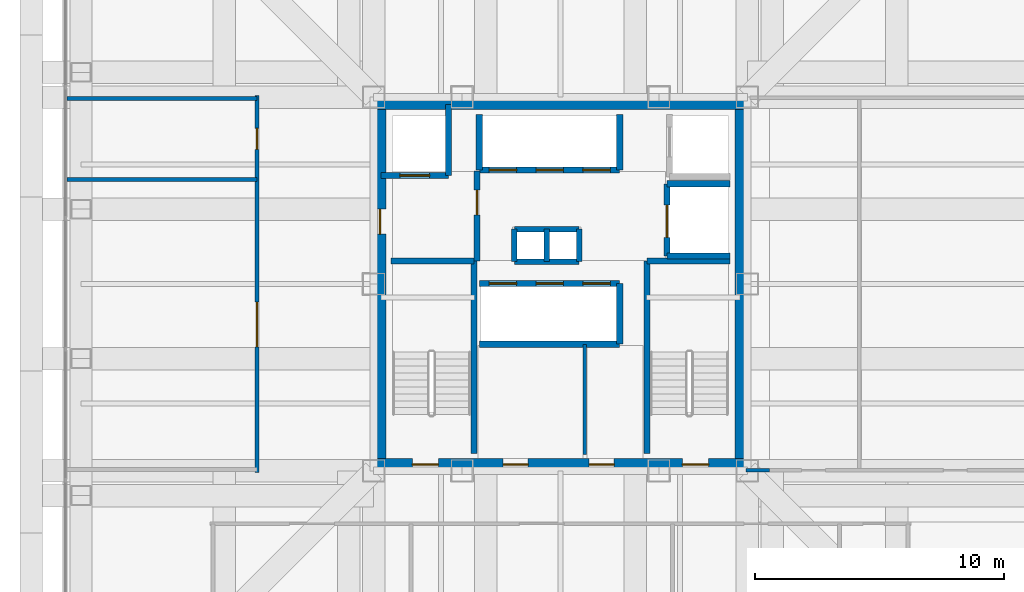
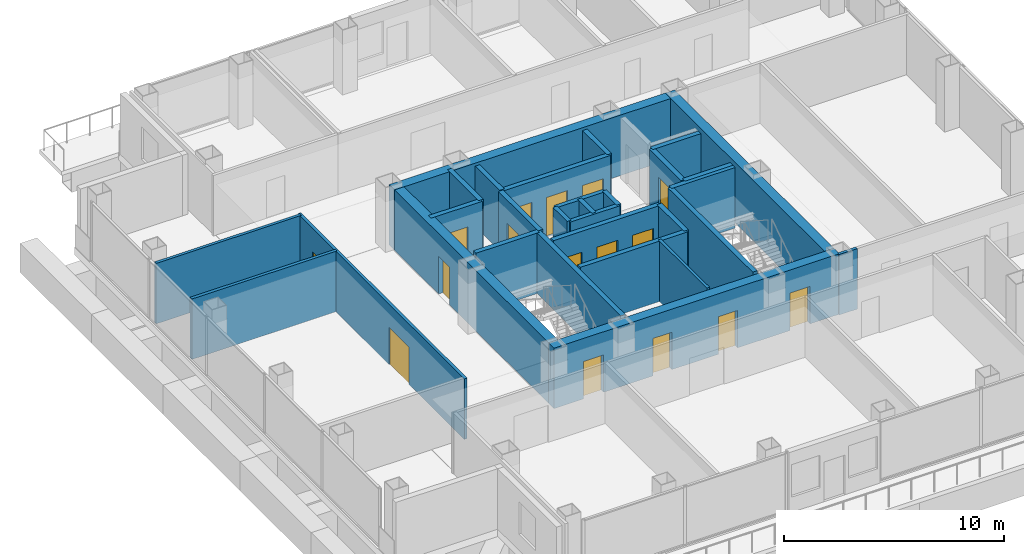
# One storey, part 10 of 14: 30 walls, 16 doors, 16 openings.
"""IFC4 building model written with IfcOpenShell, lengths in metres."""

from ifc_helpers import new_model, si_unit, direction, frame, frame_2d, origin, place, context, subcontext, project, spatial, rectangle, extrude, material, layer, layer_set, type_object, element, fill, save


model = new_model("IFC4")

# Units and contexts
model_context = context("Model", 3, precision=1e-05, world=origin(), true_north=direction((0.0, 1.0)))
body_context = subcontext(model_context, "Body", "Model", "MODEL_VIEW")
ifc_project = project(units=[si_unit("LENGTHUNIT", "METRE"), si_unit("AREAUNIT", "SQUARE_METRE"), si_unit("VOLUMEUNIT", "CUBIC_METRE"), si_unit("PLANEANGLEUNIT", "RADIAN"), si_unit("MASSUNIT", "GRAM", prefix="KILO")], contexts=[model_context])

# Site, building, storey
site_placement = place(None, origin())
site = spatial("IfcSite", under=ifc_project, at=site_placement, CompositionType="ELEMENT")
building_placement = place(site_placement, origin())
building = spatial("IfcBuilding", under=site, at=building_placement, Name="Trevonay Congress Spire", CompositionType="ELEMENT")
storey_placement = place(building_placement, frame((0.0, 0.0, 166.199951171875)))
storey = spatial("IfcBuildingStorey", under=building, at=storey_placement, Name="L42", CompositionType="ELEMENT", Elevation=166.199951171875)

# Wall, openings, doors
ifc_material_1 = material(Name="Concrete C50/60", Category="concrete")
ifc_layer_1 = layer(ifc_material_1, 0.5, Name="Concrete C50/60")
ifc_layer_set_1 = layer_set([ifc_layer_1], Name="Concrete C50/60")
wall_type_1 = type_object("IfcWallType", Name="WAL-CORE-500", PredefinedType="SHEAR", material=ifc_layer_set_1)
wall_1_placement = place(storey_placement, frame((-7.5, -7.25, 0.0), z_axis=(0.0, 0.0, 1.0), x_axis=(1.0, 0.0, 0.0)))
wall_1 = element("IfcWall", 1, at=wall_1_placement, inside=storey, type_object=wall_type_1, Name="L42 South structural core shear wall", PredefinedType="SHEAR", context=body_context, shape_type="SweptSolid", body=[
    extrude(rectangle(XDim=15.0, YDim=0.5, at=frame_2d((7.5, 0.0))), origin(), (0.0, 0.0, 1.0), 3.360107421875),
])
opening_1_placement = place(wall_1_placement, frame((1.550048828125, 0.0, 0.0)))
opening_1 = element("IfcOpeningElement", 2, at=opening_1_placement, cuts=wall_1, Name="Opening D05", PredefinedType="OPENING", context=body_context, shape_type="SweptSolid", body=[
    extrude(rectangle(XDim=1.050048828125, YDim=2.080078125, at=frame_2d((0.52490234375, 1.0400390625))), frame((0.0, 0.260009765625, 0.0), z_axis=(0.0, -1.0, 0.0), x_axis=(1.0, 0.0, 0.0)), (0.0, 0.0, 1.0), 0.52001953125),
])
opening_2_placement = place(wall_1_placement, frame((12.39990234375, 0.0, 0.0)))
opening_2 = element("IfcOpeningElement", 3, at=opening_2_placement, cuts=wall_1, Name="Opening D05", PredefinedType="OPENING", context=body_context, shape_type="SweptSolid", body=[
    extrude(rectangle(XDim=1.050048828125, YDim=2.080078125, at=frame_2d((0.52490234375, 1.0400390625))), frame((0.0, 0.260009765625, 0.0), z_axis=(0.0, -1.0, 0.0), x_axis=(1.0, 0.0, 0.0)), (0.0, 0.0, 1.0), 0.52001953125),
])
opening_3_placement = place(wall_1_placement, frame((5.199951171875, 0.0, 0.0)))
opening_3 = element("IfcOpeningElement", 4, at=opening_3_placement, cuts=wall_1, Name="Opening D06", PredefinedType="OPENING", context=body_context, shape_type="SweptSolid", body=[
    extrude(rectangle(XDim=1.0, YDim=2.080078125, at=frame_2d((0.5, 1.0400390625))), frame((0.0, 0.260009765625, 0.0), z_axis=(0.0, -1.0, 0.0), x_axis=(1.0, 0.0, 0.0)), (0.0, 0.0, 1.0), 0.52001953125),
])
opening_4_placement = place(wall_1_placement, frame((8.64990234375, 0.0, 0.0)))
opening_4 = element("IfcOpeningElement", 5, at=opening_4_placement, cuts=wall_1, Name="Opening D06", PredefinedType="OPENING", context=body_context, shape_type="SweptSolid", body=[
    extrude(rectangle(XDim=1.0, YDim=2.080078125, at=frame_2d((0.5, 1.0400390625))), frame((0.0, 0.260009765625, 0.0), z_axis=(0.0, -1.0, 0.0), x_axis=(1.0, 0.0, 0.0)), (0.0, 0.0, 1.0), 0.52001953125),
])
ifc_material_2 = material(Name="Steel ASTM A572 Grade 50", Category="steel")
door_type_1 = type_object("IfcDoorType", Name="DOR-FIRE-100", OperationType="NOTDEFINED", PredefinedType="DOOR", material=ifc_material_2)
door_1_placement = place(opening_3_placement, origin())
door_1 = element("IfcDoor", 6, at=door_1_placement, inside=storey, type_object=door_type_1, Name="L42 South Core Room 1 Door", OperationType="SINGLE_SWING_LEFT", OverallHeight=2.080078125, OverallWidth=1.0, PredefinedType="DOOR", context=body_context, shape_type="SweptSolid", body=[
    extrude(rectangle(XDim=1.0, YDim=2.080078125, at=frame_2d((0.5, 1.0400390625))), frame((0.0, 0.02490234375, 0.0), z_axis=(0.0, -1.0, 0.0), x_axis=(1.0, 0.0, 0.0)), (0.0, 0.0, 1.0), 0.050048828125),
])
fill(opening_3, door_1)
door_2_placement = place(opening_4_placement, origin())
door_2 = element("IfcDoor", 7, at=door_2_placement, inside=storey, type_object=door_type_1, Name="L42 South Core Room 2 Door", OperationType="SINGLE_SWING_RIGHT", OverallHeight=2.080078125, OverallWidth=1.0, PredefinedType="DOOR", context=body_context, shape_type="SweptSolid", body=[
    extrude(rectangle(XDim=1.0, YDim=2.080078125, at=frame_2d((0.5, 1.0400390625))), frame((0.0, 0.02490234375, 0.0), z_axis=(0.0, -1.0, 0.0), x_axis=(1.0, 0.0, 0.0)), (0.0, 0.0, 1.0), 0.050048828125),
])
fill(opening_4, door_2)
door_type_2 = type_object("IfcDoorType", Name="DOR-STAIR-110", OperationType="NOTDEFINED", PredefinedType="DOOR", material=ifc_material_2)
door_3_placement = place(opening_1_placement, origin())
door_3 = element("IfcDoor", 8, at=door_3_placement, inside=storey, type_object=door_type_2, Name="L42 Protected Stair ST-1 Door", OperationType="SINGLE_SWING_RIGHT", OverallHeight=2.080078125, OverallWidth=1.050048828125, PredefinedType="DOOR", context=body_context, shape_type="SweptSolid", body=[
    extrude(rectangle(XDim=1.050048828125, YDim=2.080078125, at=frame_2d((0.52490234375, 1.0400390625))), frame((0.0, 0.02490234375, 0.0), z_axis=(0.0, -1.0, 0.0), x_axis=(1.0, 0.0, 0.0)), (0.0, 0.0, 1.0), 0.050048828125),
])
fill(opening_1, door_3)
door_4_placement = place(opening_2_placement, origin())
door_4 = element("IfcDoor", 9, at=door_4_placement, inside=storey, type_object=door_type_2, Name="L42 Protected Stair ST-2 Door", OperationType="SINGLE_SWING_LEFT", OverallHeight=2.080078125, OverallWidth=1.050048828125, PredefinedType="DOOR", context=body_context, shape_type="SweptSolid", body=[
    extrude(rectangle(XDim=1.050048828125, YDim=2.080078125, at=frame_2d((0.52490234375, 1.0400390625))), frame((0.0, 0.02490234375, 0.0), z_axis=(0.0, -1.0, 0.0), x_axis=(1.0, 0.0, 0.0)), (0.0, 0.0, 1.0), 0.050048828125),
])
fill(opening_2, door_4)

# Wall
wall_2_placement = place(storey_placement, frame((-7.5, 7.25, 0.0), z_axis=(0.0, 0.0, 1.0), x_axis=(1.0, 0.0, 0.0)))
element("IfcWall", 10, at=wall_2_placement, inside=storey, type_object=wall_type_1, Name="L42 North structural core shear wall", PredefinedType="SHEAR", context=body_context, shape_type="SweptSolid", body=[
    extrude(rectangle(XDim=15.0, YDim=0.5, at=frame_2d((7.5, 0.0))), origin(), (0.0, 0.0, 1.0), 3.360107421875),
])

# Wall, opening, door
wall_3_placement = place(storey_placement, frame((-7.25, -7.5, 0.0), z_axis=(0.0, 0.0, 1.0), x_axis=(0.0, 1.0, 0.0)))
wall_3 = element("IfcWall", 11, at=wall_3_placement, inside=storey, type_object=wall_type_1, Name="L42 West structural core shear wall", PredefinedType="SHEAR", context=body_context, shape_type="SweptSolid", body=[
    extrude(rectangle(XDim=15.0, YDim=0.5, at=frame_2d((7.5, 0.0))), origin(), (0.0, 0.0, 1.0), 3.360107421875),
])
opening_5_placement = place(wall_3_placement, frame((9.5, 0.0, 0.0)))
opening_5 = element("IfcOpeningElement", 12, at=opening_5_placement, cuts=wall_3, Name="Opening D06", PredefinedType="OPENING", context=body_context, shape_type="SweptSolid", body=[
    extrude(rectangle(XDim=1.0, YDim=2.080078125, at=frame_2d((0.5, 1.0400390625))), frame((0.0, 0.260009765625, 0.0), z_axis=(0.0, -1.0, 0.0), x_axis=(1.0, 0.0, 0.0)), (0.0, 0.0, 1.0), 0.52001953125),
])
door_5_placement = place(opening_5_placement, origin())
door_5 = element("IfcDoor", 13, at=door_5_placement, inside=storey, type_object=door_type_1, Name="L42 Firefighting Lift Lobby West Corridor Door", OperationType="SINGLE_SWING_RIGHT", OverallHeight=2.080078125, OverallWidth=1.0, PredefinedType="DOOR", context=body_context, shape_type="SweptSolid", body=[
    extrude(rectangle(XDim=1.0, YDim=2.080078125, at=frame_2d((0.5, 1.0400390625))), frame((0.0, 0.02490234375, 0.0), z_axis=(0.0, -1.0, 0.0), x_axis=(1.0, 0.0, 0.0)), (0.0, 0.0, 1.0), 0.050048828125),
])
fill(opening_5, door_5)

# Wall
wall_4_placement = place(storey_placement, frame((7.25, -7.5, 0.0), z_axis=(0.0, 0.0, 1.0), x_axis=(0.0, 1.0, 0.0)))
element("IfcWall", 14, at=wall_4_placement, inside=storey, type_object=wall_type_1, Name="L42 East structural core shear wall", PredefinedType="SHEAR", context=body_context, shape_type="SweptSolid", body=[
    extrude(rectangle(XDim=15.0, YDim=0.5, at=frame_2d((7.5, 0.0))), origin(), (0.0, 0.0, 1.0), 3.360107421875),
])

# Wall, openings, doors
ifc_material_3 = material(Name="Concrete C40/50", Category="concrete")
ifc_layer_2 = layer(ifc_material_3, 0.14990234375, Name="Concrete C40/50")
ifc_layer_set_2 = layer_set([ifc_layer_2], Name="Concrete C40/50")
wall_type_2 = type_object("IfcWallType", Name="WAL-CORR-150", PredefinedType="PARTITIONING", material=ifc_layer_set_2)
wall_5_placement = place(storey_placement, frame((-12.179931640625, -7.570068359375, 0.0), z_axis=(0.0, 0.0, 1.0), x_axis=(0.0, 1.0, 0.0)))
wall_5 = element("IfcWall", 15, at=wall_5_placement, inside=storey, type_object=wall_type_2, Name="L42 interior wall WP-L42W-COR", PredefinedType="PARTITIONING", context=body_context, shape_type="SweptSolid", body=[
    extrude(rectangle(XDim=15.14013671875, YDim=0.14990234375, at=frame_2d((7.570068359375, 0.0))), origin(), (0.0, 0.0, 1.0), 3.360107421875),
])
opening_6_placement = place(wall_5_placement, frame((5.044921875, 0.0, 0.0)))
opening_6 = element("IfcOpeningElement", 16, at=opening_6_placement, cuts=wall_5, Name="Opening D09", PredefinedType="OPENING", context=body_context, shape_type="SweptSolid", body=[
    extrude(rectangle(XDim=1.800048828125, YDim=2.080078125, at=frame_2d((0.89990234375, 1.0400390625))), frame((0.0, 0.0849609375, 0.0), z_axis=(0.0, -1.0, 0.0), x_axis=(1.0, 0.0, 0.0)), (0.0, 0.0, 1.0), 0.169921875),
])
opening_7_placement = place(wall_5_placement, frame((12.969970703125, 0.0, 0.0)))
opening_7 = element("IfcOpeningElement", 17, at=opening_7_placement, cuts=wall_5, Name="Opening D10", PredefinedType="OPENING", context=body_context, shape_type="SweptSolid", body=[
    extrude(rectangle(XDim=0.85009765625, YDim=2.050048828125, at=frame_2d((0.425048828125, 1.02490234375))), frame((0.0, 0.0849609375, 0.0), z_axis=(0.0, -1.0, 0.0), x_axis=(1.0, 0.0, 0.0)), (0.0, 0.0, 1.0), 0.169921875),
])
ifc_material_4 = material(Name="Pale Anodised Aluminium EN AW-6063-T6", Category="aluminium")
door_type_3 = type_object("IfcDoorType", Name="DOR-CONF-DBL", OperationType="DOUBLE_DOOR_SINGLE_SWING", PredefinedType="DOOR", material=ifc_material_4)
door_6_placement = place(opening_6_placement, origin())
door_6 = element("IfcDoor", 18, at=door_6_placement, inside=storey, type_object=door_type_3, Name="L42 Executive Lounge West Door", OperationType="DOUBLE_DOOR_SINGLE_SWING", OverallHeight=2.080078125, OverallWidth=1.800048828125, PredefinedType="DOOR", context=body_context, shape_type="SweptSolid", body=[
    extrude(rectangle(XDim=1.800048828125, YDim=2.080078125, at=frame_2d((0.89990234375, 1.0400390625))), frame((0.0, 0.02490234375, 0.0), z_axis=(0.0, -1.0, 0.0), x_axis=(1.0, 0.0, 0.0)), (0.0, 0.0, 1.0), 0.050048828125),
])
fill(opening_6, door_6)
door_type_4 = type_object("IfcDoorType", Name="DOR-WC-85", OperationType="NOTDEFINED", PredefinedType="DOOR", material=ifc_material_4)
door_7_placement = place(opening_7_placement, origin())
door_7 = element("IfcDoor", 19, at=door_7_placement, inside=storey, type_object=door_type_4, Name="L42 Male Restroom WC Door", OperationType="SINGLE_SWING_RIGHT", OverallHeight=2.050048828125, OverallWidth=0.85009765625, PredefinedType="DOOR", context=body_context, shape_type="SweptSolid", body=[
    extrude(rectangle(XDim=0.85009765625, YDim=2.050048828125, at=frame_2d((0.425048828125, 1.02490234375))), frame((0.0, 0.02490234375, 0.0), z_axis=(0.0, -1.0, 0.0), x_axis=(1.0, 0.0, 0.0)), (0.0, 0.0, 1.0), 0.050048828125),
])
fill(opening_7, door_7)

# Walls
wall_6_placement = place(storey_placement, frame((7.449951171875, -7.47998046875, 0.0), z_axis=(0.0, 0.0, 1.0), x_axis=(1.0, 0.0, 0.0)))
element("IfcWall", 20, at=wall_6_placement, inside=storey, type_object=wall_type_2, Name="L42 interior wall WP-L42E-STUB", PredefinedType="PARTITIONING", context=body_context, shape_type="SweptSolid", body=[
    extrude(rectangle(XDim=0.949951171875, YDim=0.14990234375, at=frame_2d((0.47509765625, 0.0))), origin(), (0.0, 0.0, 1.0), 3.360107421875),
])
ifc_layer_3 = layer(ifc_material_3, 0.14990234375, Name="Concrete C40/50")
ifc_layer_set_3 = layer_set([ifc_layer_3], Name="Concrete C40/50")
wall_type_3 = type_object("IfcWallType", Name="WAL-PART-150", PredefinedType="PARTITIONING", material=ifc_layer_set_3)
wall_7_placement = place(storey_placement, frame((0.97998046875, -6.85009765625, 0.0), z_axis=(0.0, 0.0, 1.0), x_axis=(0.0, 1.0, 0.0)))
element("IfcWall", 21, at=wall_7_placement, inside=storey, type_object=wall_type_3, Name="L42 interior wall CW-F3-L42", PredefinedType="PARTITIONING", context=body_context, shape_type="SweptSolid", body=[
    extrude(rectangle(XDim=4.420166015625, YDim=0.14990234375, at=frame_2d((2.2099609375, 0.0))), origin(), (0.0, 0.0, 1.0), 3.360107421875),
])
wall_8_placement = place(storey_placement, frame((-19.820068359375, 7.449951171875, 0.0), z_axis=(0.0, 0.0, 1.0), x_axis=(1.0, 0.0, 0.0)))
element("IfcWall", 22, at=wall_8_placement, inside=storey, type_object=wall_type_3, Name="L42 interior wall WP-L42W-DIV3", PredefinedType="PARTITIONING", context=body_context, shape_type="SweptSolid", body=[
    extrude(rectangle(XDim=7.64013671875, YDim=0.14990234375, at=frame_2d((3.820068359375, 0.0))), origin(), (0.0, 0.0, 1.0), 3.360107421875),
])
ifc_layer_4 = layer(ifc_material_3, 0.219970703125, Name="Concrete C40/50")
ifc_layer_set_4 = layer_set([ifc_layer_4], Name="Concrete C40/50")
wall_type_4 = type_object("IfcWallType", Name="WAL-SHAFT-220", PredefinedType="PARTITIONING", material=ifc_layer_set_4)
for number, where, z_axis, x_axis, name in (
    (23, (-1.85009765625, 2.199951171875, 0.0), (0.0, 0.0, 1.0), (1.0, 0.0, 0.0), "L42 interior shaft wall WSH-L42-RSR-N"),
    (24, (-1.85009765625, 0.89990234375, 0.0), (0.0, 0.0, 1.0), (1.0, 0.0, 0.0), "L42 interior shaft wall WSH-L42-RSR-S"),
):
    element("IfcWall", number, at=place(storey_placement, frame(where, z_axis=z_axis, x_axis=x_axis)), inside=storey, type_object=wall_type_4, Name=name, PredefinedType="PARTITIONING", context=body_context, shape_type="SweptSolid", body=[
        extrude(rectangle(XDim=2.60009765625, YDim=0.219970703125, at=frame_2d((1.300048828125, 0.0))), origin(), (0.0, 0.0, 1.0), 3.360107421875),
    ])
for number, where, z_axis, x_axis, name in (
    (25, (-0.550048828125, 0.89990234375, 0.0), (0.0, 0.0, 1.0), (0.0, 1.0, 0.0), "L42 interior shaft wall WSH-L42-RSR-M"),
    (26, (0.75, 0.89990234375, 0.0), (0.0, 0.0, 1.0), (0.0, 1.0, 0.0), "L42 interior shaft wall WSH-L42-RSR-E"),
    (27, (-1.85009765625, 0.89990234375, 0.0), (0.0, 0.0, 1.0), (0.0, 1.0, 0.0), "L42 interior shaft wall WSH-L42-RSR-W"),
):
    element("IfcWall", number, at=place(storey_placement, frame(where, z_axis=z_axis, x_axis=x_axis)), inside=storey, type_object=wall_type_4, Name=name, PredefinedType="PARTITIONING", context=body_context, shape_type="SweptSolid", body=[
        extrude(rectangle(XDim=1.300048828125, YDim=0.219970703125, at=frame_2d((0.64990234375, 0.0))), origin(), (0.0, 0.0, 1.0), 3.360107421875),
    ])

# Wall, openings, doors
ifc_layer_5 = layer(ifc_material_3, 0.25, Name="Concrete C40/50")
ifc_layer_set_5 = layer_set([ifc_layer_5], Name="Concrete C40/50")
wall_type_5 = type_object("IfcWallType", Name="WAL-SHAFT-250", PredefinedType="SHEAR", material=ifc_layer_set_5)
wall_9_placement = place(storey_placement, frame((-3.260009765625, 0.02001953125, 0.0), z_axis=(0.0, 0.0, 1.0), x_axis=(1.0, 0.0, 0.0)))
wall_9 = element("IfcWall", 28, at=wall_9_placement, inside=storey, type_object=wall_type_5, Name="L42 interior shaft wall WSH-L42-B2-N", PredefinedType="SHEAR", context=body_context, shape_type="SweptSolid", body=[
    extrude(rectangle(XDim=5.639892578125, YDim=0.25, at=frame_2d((2.81982421875, 0.0))), origin(), (0.0, 0.0, 1.0), 3.360107421875),
])
opening_8_placement = place(wall_9_placement, frame((0.39990234375, 0.0, 0.0)))
opening_8 = element("IfcOpeningElement", 29, at=opening_8_placement, cuts=wall_9, Name="Opening LD02", PredefinedType="OPENING", context=body_context, shape_type="SweptSolid", body=[
    extrude(rectangle(XDim=1.10009765625, YDim=2.199951171875, at=frame_2d((0.550048828125, 1.10009765625))), frame((0.0, 0.135009765625, 0.0), z_axis=(0.0, -1.0, 0.0), x_axis=(1.0, 0.0, 0.0)), (0.0, 0.0, 1.0), 0.27001953125),
])
opening_9_placement = place(wall_9_placement, frame((2.280029296875, 0.0, 0.0)))
opening_9 = element("IfcOpeningElement", 30, at=opening_9_placement, cuts=wall_9, Name="Opening LD02", PredefinedType="OPENING", context=body_context, shape_type="SweptSolid", body=[
    extrude(rectangle(XDim=1.10009765625, YDim=2.199951171875, at=frame_2d((0.550048828125, 1.10009765625))), frame((0.0, 0.135009765625, 0.0), z_axis=(0.0, -1.0, 0.0), x_axis=(1.0, 0.0, 0.0)), (0.0, 0.0, 1.0), 0.27001953125),
])
opening_10_placement = place(wall_9_placement, frame((4.159912109375, 0.0, 0.0)))
opening_10 = element("IfcOpeningElement", 31, at=opening_10_placement, cuts=wall_9, Name="Opening LD02", PredefinedType="OPENING", context=body_context, shape_type="SweptSolid", body=[
    extrude(rectangle(XDim=1.10009765625, YDim=2.199951171875, at=frame_2d((0.550048828125, 1.10009765625))), frame((0.0, 0.135009765625, 0.0), z_axis=(0.0, -1.0, 0.0), x_axis=(1.0, 0.0, 0.0)), (0.0, 0.0, 1.0), 0.27001953125),
])
door_type_5 = type_object("IfcDoorType", Name="DOR-LIFT-LD02", OperationType="DOUBLE_DOOR_SLIDING", PredefinedType="DOOR", material=ifc_material_4)
door_8_placement = place(opening_8_placement, origin())
door_8 = element("IfcDoor", 32, at=door_8_placement, inside=storey, type_object=door_type_5, Name="L42 Passenger lift PL-04 landing door", OperationType="DOUBLE_DOOR_SLIDING", OverallHeight=2.199951171875, OverallWidth=1.10009765625, PredefinedType="DOOR", context=body_context, shape_type="SweptSolid", body=[
    extrude(rectangle(XDim=1.10009765625, YDim=2.199951171875, at=frame_2d((0.550048828125, 1.10009765625))), frame((0.0, 0.02490234375, 0.0), z_axis=(0.0, -1.0, 0.0), x_axis=(1.0, 0.0, 0.0)), (0.0, 0.0, 1.0), 0.050048828125),
])
fill(opening_8, door_8)
door_9_placement = place(opening_9_placement, origin())
door_9 = element("IfcDoor", 33, at=door_9_placement, inside=storey, type_object=door_type_5, Name="L42 Passenger lift PL-05 landing door", OperationType="DOUBLE_DOOR_SLIDING", OverallHeight=2.199951171875, OverallWidth=1.10009765625, PredefinedType="DOOR", context=body_context, shape_type="SweptSolid", body=[
    extrude(rectangle(XDim=1.10009765625, YDim=2.199951171875, at=frame_2d((0.550048828125, 1.10009765625))), frame((0.0, 0.02490234375, 0.0), z_axis=(0.0, -1.0, 0.0), x_axis=(1.0, 0.0, 0.0)), (0.0, 0.0, 1.0), 0.050048828125),
])
fill(opening_9, door_9)
door_10_placement = place(opening_10_placement, origin())
door_10 = element("IfcDoor", 34, at=door_10_placement, inside=storey, type_object=door_type_5, Name="L42 Passenger lift PL-06 landing door", OperationType="DOUBLE_DOOR_SLIDING", OverallHeight=2.199951171875, OverallWidth=1.10009765625, PredefinedType="DOOR", context=body_context, shape_type="SweptSolid", body=[
    extrude(rectangle(XDim=1.10009765625, YDim=2.199951171875, at=frame_2d((0.550048828125, 1.10009765625))), frame((0.0, 0.02490234375, 0.0), z_axis=(0.0, -1.0, 0.0), x_axis=(1.0, 0.0, 0.0)), (0.0, 0.0, 1.0), 0.050048828125),
])
fill(opening_10, door_10)

# Walls
wall_10_placement = place(storey_placement, frame((-3.260009765625, -2.419921875, 0.0), z_axis=(0.0, 0.0, 1.0), x_axis=(1.0, 0.0, 0.0)))
element("IfcWall", 35, at=wall_10_placement, inside=storey, type_object=wall_type_5, Name="L42 interior shaft wall WSH-L42-B2-S", PredefinedType="SHEAR", context=body_context, shape_type="SweptSolid", body=[
    extrude(rectangle(XDim=5.639892578125, YDim=0.25, at=frame_2d((2.81982421875, 0.0))), origin(), (0.0, 0.0, 1.0), 3.360107421875),
])
wall_11_placement = place(storey_placement, frame((2.3798828125, -2.419921875, 0.0), z_axis=(0.0, 0.0, 1.0), x_axis=(0.0, 1.0, 0.0)))
element("IfcWall", 36, at=wall_11_placement, inside=storey, type_object=wall_type_5, Name="L42 interior shaft wall WSH-L42-B2-E", PredefinedType="SHEAR", context=body_context, shape_type="SweptSolid", body=[
    extrude(rectangle(XDim=2.43994140625, YDim=0.25, at=frame_2d((1.219970703125, 0.0))), origin(), (0.0, 0.0, 1.0), 3.360107421875),
])

# Wall, openings, doors
wall_12_placement = place(storey_placement, frame((-3.260009765625, 4.580078125, 0.0), z_axis=(0.0, 0.0, 1.0), x_axis=(1.0, 0.0, 0.0)))
wall_12 = element("IfcWall", 37, at=wall_12_placement, inside=storey, type_object=wall_type_5, Name="L42 interior shaft wall WSH-L42-B3-S", PredefinedType="SHEAR", context=body_context, shape_type="SweptSolid", body=[
    extrude(rectangle(XDim=5.639892578125, YDim=0.25, at=frame_2d((2.81982421875, 0.0))), origin(), (0.0, 0.0, 1.0), 3.360107421875),
])
opening_11_placement = place(wall_12_placement, frame((0.39990234375, 0.0, 0.0)))
opening_11 = element("IfcOpeningElement", 38, at=opening_11_placement, cuts=wall_12, Name="Opening LD03", PredefinedType="OPENING", context=body_context, shape_type="SweptSolid", body=[
    extrude(rectangle(XDim=1.10009765625, YDim=2.199951171875, at=frame_2d((0.550048828125, 1.10009765625))), frame((0.0, 0.135009765625, 0.0), z_axis=(0.0, -1.0, 0.0), x_axis=(1.0, 0.0, 0.0)), (0.0, 0.0, 1.0), 0.27001953125),
])
opening_12_placement = place(wall_12_placement, frame((2.280029296875, 0.0, 0.0)))
opening_12 = element("IfcOpeningElement", 39, at=opening_12_placement, cuts=wall_12, Name="Opening LD03", PredefinedType="OPENING", context=body_context, shape_type="SweptSolid", body=[
    extrude(rectangle(XDim=1.10009765625, YDim=2.199951171875, at=frame_2d((0.550048828125, 1.10009765625))), frame((0.0, 0.135009765625, 0.0), z_axis=(0.0, -1.0, 0.0), x_axis=(1.0, 0.0, 0.0)), (0.0, 0.0, 1.0), 0.27001953125),
])
opening_13_placement = place(wall_12_placement, frame((4.159912109375, 0.0, 0.0)))
opening_13 = element("IfcOpeningElement", 40, at=opening_13_placement, cuts=wall_12, Name="Opening LD03", PredefinedType="OPENING", context=body_context, shape_type="SweptSolid", body=[
    extrude(rectangle(XDim=1.10009765625, YDim=2.199951171875, at=frame_2d((0.550048828125, 1.10009765625))), frame((0.0, 0.135009765625, 0.0), z_axis=(0.0, -1.0, 0.0), x_axis=(1.0, 0.0, 0.0)), (0.0, 0.0, 1.0), 0.27001953125),
])
door_type_6 = type_object("IfcDoorType", Name="DOR-LIFT-LD03", OperationType="DOUBLE_DOOR_SLIDING", PredefinedType="DOOR", material=ifc_material_4)
door_11_placement = place(opening_11_placement, origin())
door_11 = element("IfcDoor", 41, at=door_11_placement, inside=storey, type_object=door_type_6, Name="L42 Passenger lift PL-07 landing door", OperationType="DOUBLE_DOOR_SLIDING", OverallHeight=2.199951171875, OverallWidth=1.10009765625, PredefinedType="DOOR", context=body_context, shape_type="SweptSolid", body=[
    extrude(rectangle(XDim=1.10009765625, YDim=2.199951171875, at=frame_2d((0.550048828125, 1.10009765625))), frame((0.0, 0.02490234375, 0.0), z_axis=(0.0, -1.0, 0.0), x_axis=(1.0, 0.0, 0.0)), (0.0, 0.0, 1.0), 0.050048828125),
])
fill(opening_11, door_11)
door_12_placement = place(opening_12_placement, origin())
door_12 = element("IfcDoor", 42, at=door_12_placement, inside=storey, type_object=door_type_6, Name="L42 Passenger lift PL-08 landing door", OperationType="DOUBLE_DOOR_SLIDING", OverallHeight=2.199951171875, OverallWidth=1.10009765625, PredefinedType="DOOR", context=body_context, shape_type="SweptSolid", body=[
    extrude(rectangle(XDim=1.10009765625, YDim=2.199951171875, at=frame_2d((0.550048828125, 1.10009765625))), frame((0.0, 0.02490234375, 0.0), z_axis=(0.0, -1.0, 0.0), x_axis=(1.0, 0.0, 0.0)), (0.0, 0.0, 1.0), 0.050048828125),
])
fill(opening_12, door_12)
door_13_placement = place(opening_13_placement, origin())
door_13 = element("IfcDoor", 43, at=door_13_placement, inside=storey, type_object=door_type_6, Name="L42 Passenger lift PL-09 landing door", OperationType="DOUBLE_DOOR_SLIDING", OverallHeight=2.199951171875, OverallWidth=1.10009765625, PredefinedType="DOOR", context=body_context, shape_type="SweptSolid", body=[
    extrude(rectangle(XDim=1.10009765625, YDim=2.199951171875, at=frame_2d((0.550048828125, 1.10009765625))), frame((0.0, 0.02490234375, 0.0), z_axis=(0.0, -1.0, 0.0), x_axis=(1.0, 0.0, 0.0)), (0.0, 0.0, 1.0), 0.050048828125),
])
fill(opening_13, door_13)

# Walls
for number, where, z_axis, x_axis, name in (
    (44, (-3.260009765625, 4.580078125, 0.0), (0.0, 0.0, 1.0), (0.0, 1.0, 0.0), "L42 interior shaft wall WSH-L42-B3-W"),
    (45, (2.3798828125, 4.580078125, 0.0), (0.0, 0.0, 1.0), (0.0, 1.0, 0.0), "L42 interior shaft wall WSH-L42-B3-E"),
):
    element("IfcWall", number, at=place(storey_placement, frame(where, z_axis=z_axis, x_axis=x_axis)), inside=storey, type_object=wall_type_5, Name=name, PredefinedType="SHEAR", context=body_context, shape_type="SweptSolid", body=[
        extrude(rectangle(XDim=2.219970703125, YDim=0.25, at=frame_2d((1.10986328125, 0.0))), origin(), (0.0, 0.0, 1.0), 3.360107421875),
    ])

# Wall, opening, door
wall_13_placement = place(storey_placement, frame((-7.199951171875, 4.35009765625, 0.0), z_axis=(0.0, 0.0, 1.0), x_axis=(1.0, 0.0, 0.0)))
wall_13 = element("IfcWall", 46, at=wall_13_placement, inside=storey, type_object=wall_type_5, Name="L42 interior shaft wall WSH-L42-FF1-S", PredefinedType="SHEAR", context=body_context, shape_type="SweptSolid", body=[
    extrude(rectangle(XDim=2.699951171875, YDim=0.25, at=frame_2d((1.35009765625, 0.0))), origin(), (0.0, 0.0, 1.0), 3.360107421875),
])
opening_14_placement = place(wall_13_placement, frame((0.75, 0.0, 0.0)))
opening_14 = element("IfcOpeningElement", 47, at=opening_14_placement, cuts=wall_13, Name="Opening LD04", PredefinedType="OPENING", context=body_context, shape_type="SweptSolid", body=[
    extrude(rectangle(XDim=1.199951171875, YDim=2.199951171875, at=frame_2d((0.60009765625, 1.10009765625))), frame((0.0, 0.135009765625, 0.0), z_axis=(0.0, -1.0, 0.0), x_axis=(1.0, 0.0, 0.0)), (0.0, 0.0, 1.0), 0.27001953125),
])
door_type_7 = type_object("IfcDoorType", Name="DOR-LIFT-LD04", OperationType="DOUBLE_DOOR_SLIDING", PredefinedType="DOOR", material=ifc_material_2)
door_14_placement = place(opening_14_placement, origin())
door_14 = element("IfcDoor", 48, at=door_14_placement, inside=storey, type_object=door_type_7, Name="L42 Firefighting lift FFL-01 landing door", OperationType="DOUBLE_DOOR_SLIDING", OverallHeight=2.199951171875, OverallWidth=1.199951171875, PredefinedType="DOOR", context=body_context, shape_type="SweptSolid", body=[
    extrude(rectangle(XDim=1.199951171875, YDim=2.199951171875, at=frame_2d((0.60009765625, 1.10009765625))), frame((0.0, 0.02490234375, 0.0), z_axis=(0.0, -1.0, 0.0), x_axis=(1.0, 0.0, 0.0)), (0.0, 0.0, 1.0), 0.050048828125),
])
fill(opening_14, door_14)

# Wall
wall_14_placement = place(storey_placement, frame((-4.5, 4.35009765625, 0.0), z_axis=(0.0, 0.0, 1.0), x_axis=(0.0, 1.0, 0.0)))
element("IfcWall", 49, at=wall_14_placement, inside=storey, type_object=wall_type_5, Name="L42 interior shaft wall WSH-L42-FF1-E", PredefinedType="SHEAR", context=body_context, shape_type="SweptSolid", body=[
    extrude(rectangle(XDim=2.849853515625, YDim=0.25, at=frame_2d((1.4248046875, 0.0))), origin(), (0.0, 0.0, 1.0), 3.360107421875),
])

# Wall, opening, door
wall_15_placement = place(storey_placement, frame((4.280029296875, 1.1201171875, 0.0), z_axis=(0.0, 0.0, 1.0), x_axis=(0.0, 1.0, 0.0)))
wall_15 = element("IfcWall", 50, at=wall_15_placement, inside=storey, type_object=wall_type_5, Name="L42 interior shaft wall WSH-L42-SV-W", PredefinedType="SHEAR", context=body_context, shape_type="SweptSolid", body=[
    extrude(rectangle(XDim=2.89990234375, YDim=0.25, at=frame_2d((1.449951171875, 0.0))), origin(), (0.0, 0.0, 1.0), 3.360107421875),
])
opening_15_placement = place(wall_15_placement, frame((0.75, 0.0, 0.0)))
opening_15 = element("IfcOpeningElement", 51, at=opening_15_placement, cuts=wall_15, Name="Opening LD05", PredefinedType="OPENING", context=body_context, shape_type="SweptSolid", body=[
    extrude(rectangle(XDim=1.300048828125, YDim=2.300048828125, at=frame_2d((0.64990234375, 1.14990234375))), frame((0.0, 0.135009765625, 0.0), z_axis=(0.0, -1.0, 0.0), x_axis=(1.0, 0.0, 0.0)), (0.0, 0.0, 1.0), 0.27001953125),
])
door_type_8 = type_object("IfcDoorType", Name="DOR-LIFT-LD05", OperationType="DOUBLE_DOOR_SLIDING", PredefinedType="DOOR", material=ifc_material_2)
door_15_placement = place(opening_15_placement, origin())
door_15 = element("IfcDoor", 52, at=door_15_placement, inside=storey, type_object=door_type_8, Name="L42 Goods lift SVL-01 landing door", OperationType="DOUBLE_DOOR_SLIDING", OverallHeight=2.300048828125, OverallWidth=1.300048828125, PredefinedType="DOOR", context=body_context, shape_type="SweptSolid", body=[
    extrude(rectangle(XDim=1.300048828125, YDim=2.300048828125, at=frame_2d((0.64990234375, 1.14990234375))), frame((0.0, 0.02490234375, 0.0), z_axis=(0.0, -1.0, 0.0), x_axis=(1.0, 0.0, 0.0)), (0.0, 0.0, 1.0), 0.050048828125),
])
fill(opening_15, door_15)

# Walls
for number, where, z_axis, x_axis, name in (
    (53, (4.280029296875, 1.1201171875, 0.0), (0.0, 0.0, 1.0), (1.0, 0.0, 0.0), "L42 interior shaft wall WSH-L42-SV-S"),
    (54, (4.280029296875, 4.02001953125, 0.0), (0.0, 0.0, 1.0), (1.0, 0.0, 0.0), "L42 interior shaft wall WSH-L42-SV-N"),
):
    element("IfcWall", number, at=place(storey_placement, frame(where, z_axis=z_axis, x_axis=x_axis)), inside=storey, type_object=wall_type_5, Name=name, PredefinedType="SHEAR", context=body_context, shape_type="SweptSolid", body=[
        extrude(rectangle(XDim=2.52001953125, YDim=0.25, at=frame_2d((1.260009765625, 0.0))), origin(), (0.0, 0.0, 1.0), 3.360107421875),
    ])

# Wall, opening, door
wall_16_placement = place(storey_placement, frame((-3.35009765625, 0.919921875, 0.0), z_axis=(0.0, 0.0, 1.0), x_axis=(0.0, 1.0, 0.0)))
wall_16 = element("IfcWall", 55, at=wall_16_placement, inside=storey, type_object=wall_type_5, Name="L42 interior wall CW-FFLW-E-L42", PredefinedType="SHEAR", context=body_context, shape_type="SweptSolid", body=[
    extrude(rectangle(XDim=3.6201171875, YDim=0.25, at=frame_2d((1.81005859375, 0.0))), origin(), (0.0, 0.0, 1.0), 3.360107421875),
])
opening_16_placement = place(wall_16_placement, frame((1.85009765625, 0.0, 0.0)))
opening_16 = element("IfcOpeningElement", 56, at=opening_16_placement, cuts=wall_16, Name="Opening D06", PredefinedType="OPENING", context=body_context, shape_type="SweptSolid", body=[
    extrude(rectangle(XDim=1.0, YDim=2.080078125, at=frame_2d((0.5, 1.0400390625))), frame((0.0, 0.135009765625, 0.0), z_axis=(0.0, -1.0, 0.0), x_axis=(1.0, 0.0, 0.0)), (0.0, 0.0, 1.0), 0.27001953125),
])
door_16_placement = place(opening_16_placement, origin())
door_16 = element("IfcDoor", 57, at=door_16_placement, inside=storey, type_object=door_type_1, Name="L42 Firefighting Core Lobby Transfer Door", OperationType="SINGLE_SWING_LEFT", OverallHeight=2.080078125, OverallWidth=1.0, PredefinedType="DOOR", context=body_context, shape_type="SweptSolid", body=[
    extrude(rectangle(XDim=1.0, YDim=2.080078125, at=frame_2d((0.5, 1.0400390625))), frame((0.0, 0.02490234375, 0.0), z_axis=(0.0, -1.0, 0.0), x_axis=(1.0, 0.0, 0.0)), (0.0, 0.0, 1.0), 0.050048828125),
])
fill(opening_16, door_16)

# Walls
ifc_layer_6 = layer(ifc_material_3, 0.25, Name="Concrete C40/50")
ifc_layer_set_6 = layer_set([ifc_layer_6], Name="Concrete C40/50")
wall_type_6 = type_object("IfcWallType", Name="WAL-SHAFT-LB-250", PredefinedType="SHEAR", material=ifc_layer_set_6)
wall_17_placement = place(storey_placement, frame((-3.469970703125, -6.800048828125, 0.0), z_axis=(0.0, 0.0, 1.0), x_axis=(0.0, 1.0, 0.0)))
element("IfcWall", 58, at=wall_17_placement, inside=storey, type_object=wall_type_6, Name="L42 interior shaft wall WSH-L42-ST1-E", PredefinedType="SHEAR", context=body_context, shape_type="SweptSolid", body=[
    extrude(rectangle(XDim=7.719970703125, YDim=0.25, at=frame_2d((3.85986328125, 0.0))), origin(), (0.0, 0.0, 1.0), 3.360107421875),
])
wall_18_placement = place(storey_placement, frame((-6.800048828125, 0.919921875, 0.0), z_axis=(0.0, 0.0, 1.0), x_axis=(1.0, 0.0, 0.0)))
element("IfcWall", 59, at=wall_18_placement, inside=storey, type_object=wall_type_6, Name="L42 interior shaft wall WSH-L42-ST1-N", PredefinedType="SHEAR", context=body_context, shape_type="SweptSolid", body=[
    extrude(rectangle(XDim=3.330078125, YDim=0.25, at=frame_2d((1.6650390625, 0.0))), origin(), (0.0, 0.0, 1.0), 3.360107421875),
])
wall_19_placement = place(storey_placement, frame((3.469970703125, -6.800048828125, 0.0), z_axis=(0.0, 0.0, 1.0), x_axis=(0.0, 1.0, 0.0)))
element("IfcWall", 60, at=wall_19_placement, inside=storey, type_object=wall_type_6, Name="L42 interior shaft wall WSH-L42-ST2-W", PredefinedType="SHEAR", context=body_context, shape_type="SweptSolid", body=[
    extrude(rectangle(XDim=7.719970703125, YDim=0.25, at=frame_2d((3.85986328125, 0.0))), origin(), (0.0, 0.0, 1.0), 3.360107421875),
])
wall_20_placement = place(storey_placement, frame((3.469970703125, 0.919921875, 0.0), z_axis=(0.0, 0.0, 1.0), x_axis=(1.0, 0.0, 0.0)))
element("IfcWall", 61, at=wall_20_placement, inside=storey, type_object=wall_type_6, Name="L42 interior shaft wall WSH-L42-ST2-N", PredefinedType="SHEAR", context=body_context, shape_type="SweptSolid", body=[
    extrude(rectangle(XDim=3.330078125, YDim=0.25, at=frame_2d((1.6650390625, 0.0))), origin(), (0.0, 0.0, 1.0), 3.360107421875),
])
ifc_layer_7 = layer(ifc_material_3, 0.1650390625, Name="Concrete C40/50")
ifc_layer_set_7 = layer_set([ifc_layer_7], Name="Concrete C40/50")
wall_type_7 = type_object("IfcWallType", Name="WAL-WET-165", PredefinedType="PLUMBINGWALL", material=ifc_layer_set_7)
wall_21_placement = place(storey_placement, frame((-19.820068359375, 4.199951171875, 0.0), z_axis=(0.0, 0.0, 1.0), x_axis=(1.0, 0.0, 0.0)))
element("IfcWall", 62, at=wall_21_placement, inside=storey, type_object=wall_type_7, Name="L42 interior wall WP-L42W-DIV2", PredefinedType="PLUMBINGWALL", context=body_context, shape_type="SweptSolid", body=[
    extrude(rectangle(XDim=7.64013671875, YDim=0.1650390625, at=frame_2d((3.820068359375, 0.0))), origin(), (0.0, 0.0, 1.0), 3.360107421875),
])

save(model, "model.ifc")
